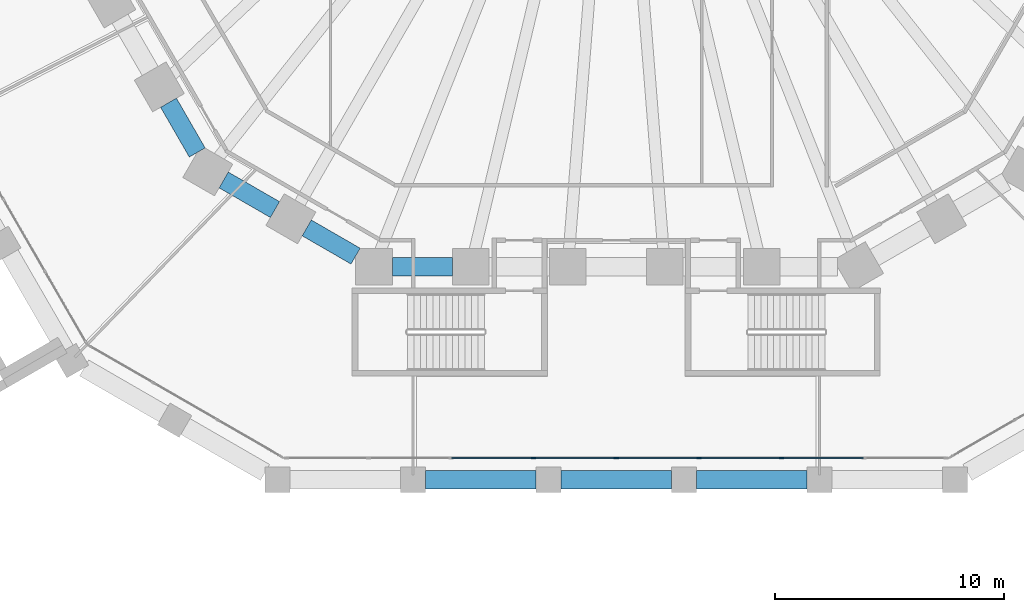
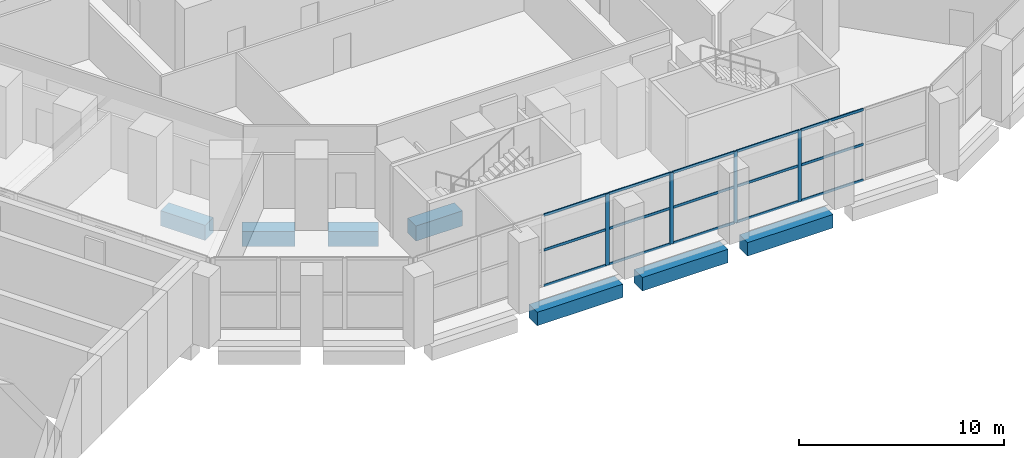
# One storey, part 3 of 38: 19 members, 7 beams, 1 element without a shape of its own.
"""IFC4 building model written with IfcOpenShell, lengths in metres."""

from ifc_helpers import new_model, si_unit, direction, frame, origin, origin_2d, place, context, subcontext, project, spatial, rectangle, extrude, material, material_profile, profile_set, type_object, element, aggregate, save


model = new_model("IFC4")

# Units and contexts
model_context = context("Model", 3, precision=1e-05, world=origin(), true_north=direction((0.0, 1.0)))
body_context = subcontext(model_context, "Body", "Model", "MODEL_VIEW")
ifc_project = project(units=[si_unit("LENGTHUNIT", "METRE"), si_unit("AREAUNIT", "SQUARE_METRE"), si_unit("VOLUMEUNIT", "CUBIC_METRE"), si_unit("PLANEANGLEUNIT", "RADIAN"), si_unit("MASSUNIT", "GRAM", prefix="KILO")], contexts=[model_context])

# Site, building, storey
site_placement = place(None, origin())
site = spatial("IfcSite", under=ifc_project, at=site_placement, CompositionType="ELEMENT")
building_placement = place(site_placement, origin())
building = spatial("IfcBuilding", under=site, at=building_placement, Name="Frailejon Research Tower", CompositionType="ELEMENT")
storey_placement = place(building_placement, frame((0.0, 0.0, 5.60009765625)))
storey = spatial("IfcBuildingStorey", under=building, at=storey_placement, Name="L01", CompositionType="ELEMENT", Elevation=5.60009765625)

# Beams
ifc_material_1 = material(Name="Concrete C60/75", Category="concrete")
ifc_material_profile_1 = material_profile(ifc_material_1, rectangle(XDim=0.800048828125, YDim=0.800048828125, at=origin_2d()), Name="Base ring beam")
ifc_profile_set_1 = profile_set([ifc_material_profile_1], Name="Concrete C60/75")
beam_type_1 = type_object("IfcBeamType", Name="Base ring beam", PredefinedType="BEAM", material=ifc_profile_set_1)
for number, where, z_axis, x_axis, name in (
    (1, (-8.32080078125, -36.0, -0.75), (1.0, 0.0, 0.0), (0.0, 1.0, 0.0), "Base ring beam"),
    (2, (-2.406982421875, -36.0, -0.75), (1.0, 0.0, 0.0), (0.0, 1.0, 0.0), "Base ring beam"),
    (3, (3.5068359375, -36.0, -0.75), (1.0, 0.0, 0.0), (0.0, 1.0, 0.0), "Base ring beam"),
):
    element("IfcBeam", number, at=place(storey_placement, frame(where, z_axis=z_axis, x_axis=x_axis)), inside=storey, type_object=beam_type_1, Name=name, PredefinedType="BEAM", context=body_context, shape_type="SweptSolid", body=[
        extrude(rectangle(XDim=0.800048828125, YDim=0.800048828125, at=origin_2d()), origin(), (0.0, 0.0, 1.0), 4.81396484375),
    ])
ifc_material_2 = material(Name="Concrete C60/75", Category="concrete")
ifc_material_profile_2 = material_profile(ifc_material_2, rectangle(XDim=0.800048828125, YDim=0.89990234375, at=origin_2d()), Name="Podium ring beam")
ifc_profile_set_2 = profile_set([ifc_material_profile_2], Name="Concrete C60/75")
beam_type_2 = type_object("IfcBeamType", Name="Podium ring beam", PredefinedType="BEAM", material=ifc_profile_set_2)
beam_1_placement = place(storey_placement, frame((-19.548828125, -19.540283203125, -0.800048828125), z_axis=(0.499949964382, -0.866054289935, 0.0), x_axis=(0.866054289935, 0.499949964382, 0.0)))
element("IfcBeam", 4, at=beam_1_placement, inside=storey, type_object=beam_type_2, Name="Podium ring beam", PredefinedType="BEAM", context=body_context, shape_type="SweptSolid", body=[
    extrude(rectangle(XDim=0.800048828125, YDim=0.89990234375, at=origin_2d()), origin(), (0.0, 0.0, 1.0), 2.508056640625),
])
beam_2_placement = place(storey_placement, frame((-17.14013671875, -22.912353515625, -0.800048828125), z_axis=(0.866004899711, -0.500035512416, 0.0), x_axis=(0.500035512416, 0.866004899711, 0.0)))
element("IfcBeam", 5, at=beam_2_placement, inside=storey, type_object=beam_type_2, Name="Podium ring beam", PredefinedType="BEAM", context=body_context, shape_type="SweptSolid", body=[
    extrude(rectangle(XDim=0.800048828125, YDim=0.89990234375, at=origin_2d()), origin(), (0.0, 0.0, 1.0), 2.587646484375),
])
beam_3_placement = place(storey_placement, frame((-13.513671875, -25.006103515625, -0.800048828125), z_axis=(0.86602717807, -0.499996926835, 0.0), x_axis=(0.499996926835, 0.86602717807, 0.0)))
element("IfcBeam", 6, at=beam_3_placement, inside=storey, type_object=beam_type_2, Name="Podium ring beam", PredefinedType="BEAM", context=body_context, shape_type="SweptSolid", body=[
    extrude(rectangle(XDim=0.800048828125, YDim=0.89990234375, at=origin_2d()), origin(), (0.0, 0.0, 1.0), 2.4638671875),
])
beam_4_placement = place(storey_placement, frame((-9.77978515625, -26.699951171875, -0.800048828125), z_axis=(1.0, 0.0, 0.0), x_axis=(0.0, 1.0, 0.0)))
element("IfcBeam", 7, at=beam_4_placement, inside=storey, type_object=beam_type_2, Name="Podium ring beam", PredefinedType="BEAM", context=body_context, shape_type="SweptSolid", body=[
    extrude(rectangle(XDim=0.800048828125, YDim=0.89990234375, at=origin_2d()), origin(), (0.0, 0.0, 1.0), 2.6318359375),
])

# Curtain wall, members
ifc_material_3 = material(Name="Aluminium curtain wall", Category="aluminium")
curtain_wall_type = type_object("IfcCurtainWallType", Name="Podium stick curtain wall system", PredefinedType="NOTDEFINED", material=ifc_material_3)
curtain_wall_placement = place(storey_placement, origin())
curtain_wall = element("IfcCurtainWall", 8, at=curtain_wall_placement, inside=storey, type_object=curtain_wall_type, Name="Curtain wall L01", PredefinedType="NOTDEFINED")
ifc_material_4 = material(Name="Aluminium extrusion", Category="aluminium")
ifc_material_profile_3 = material_profile(ifc_material_4, rectangle(XDim=0.06005859375, YDim=0.199951171875, at=origin_2d()), Name="Podium stick curtain wall mullion 60x200")
ifc_profile_set_3 = profile_set([ifc_material_profile_3], Name="Aluminium extrusion")
member_type_1 = type_object("IfcMemberType", Name="Podium stick curtain wall mullion 60x200", PredefinedType="MULLION", material=ifc_profile_set_3)
member_1_placement = place(storey_placement, frame((-3.607421875, -35.050048828125, 0.0), z_axis=(0.0, 0.0, 1.0), x_axis=(0.0, 1.0, 0.0)))
member_1 = element("IfcMember", 9, at=member_1_placement, type_object=member_type_1, Name="CW2-030 mullion 4", PredefinedType="MULLION", context=body_context, shape_type="SweptSolid", body=[
    extrude(rectangle(XDim=0.06005859375, YDim=0.199951171875, at=origin_2d()), origin(), (0.0, 0.0, 1.0), 4.25),
])
member_2_placement = place(storey_placement, frame((0.0, -35.050048828125, 0.0), z_axis=(0.0, 0.0, 1.0), x_axis=(0.0, 1.0, 0.0)))
member_2 = element("IfcMember", 10, at=member_2_placement, type_object=member_type_1, Name="CW2-030 mullion 5", PredefinedType="MULLION", context=body_context, shape_type="SweptSolid", body=[
    extrude(rectangle(XDim=0.06005859375, YDim=0.199951171875, at=origin_2d()), origin(), (0.0, 0.0, 1.0), 4.25),
])
member_3_placement = place(storey_placement, frame((3.607421875, -35.050048828125, 0.0), z_axis=(0.0, 0.0, 1.0), x_axis=(0.0, 1.0, 0.0)))
member_3 = element("IfcMember", 11, at=member_3_placement, type_object=member_type_1, Name="CW2-030 mullion 6", PredefinedType="MULLION", context=body_context, shape_type="SweptSolid", body=[
    extrude(rectangle(XDim=0.06005859375, YDim=0.199951171875, at=origin_2d()), origin(), (0.0, 0.0, 1.0), 4.25),
])
member_4_placement = place(storey_placement, frame((7.215087890625, -35.050048828125, 0.0), z_axis=(0.0, 0.0, 1.0), x_axis=(0.0, 1.0, 0.0)))
member_4 = element("IfcMember", 12, at=member_4_placement, type_object=member_type_1, Name="CW2-030 mullion 7", PredefinedType="MULLION", context=body_context, shape_type="SweptSolid", body=[
    extrude(rectangle(XDim=0.06005859375, YDim=0.199951171875, at=origin_2d()), origin(), (0.0, 0.0, 1.0), 4.25),
])
ifc_material_5 = material(Name="Aluminium extrusion", Category="aluminium")
ifc_material_profile_4 = material_profile(ifc_material_5, rectangle(XDim=0.06005859375, YDim=0.14990234375, at=origin_2d()), Name="Podium stick curtain wall transom 60x150")
ifc_profile_set_4 = profile_set([ifc_material_profile_4], Name="Aluminium extrusion")
member_type_2 = type_object("IfcMemberType", Name="Podium stick curtain wall transom 60x150", PredefinedType="USERDEFINED", material=ifc_profile_set_4)
member_5_placement = place(storey_placement, frame((-7.18505859375, -35.050048828125, 0.02978515625), z_axis=(1.0, 0.0, 0.0), x_axis=(0.0, 1.0, 0.0)))
member_5 = element("IfcMember", 13, at=member_5_placement, type_object=member_type_2, Name="CW2-030 transom 3.1", ObjectType="TRANSOM", PredefinedType="USERDEFINED", context=body_context, shape_type="SweptSolid", body=[
    extrude(rectangle(XDim=0.06005859375, YDim=0.14990234375, at=origin_2d()), origin(), (0.0, 0.0, 1.0), 3.547607421875),
])
member_6_placement = place(storey_placement, frame((-7.18505859375, -35.050048828125, 2.14990234375), z_axis=(1.0, 0.0, 0.0), x_axis=(0.0, 1.0, 0.0)))
member_6 = element("IfcMember", 14, at=member_6_placement, type_object=member_type_2, Name="CW2-030 transom 3.2", ObjectType="TRANSOM", PredefinedType="USERDEFINED", context=body_context, shape_type="SweptSolid", body=[
    extrude(rectangle(XDim=0.06005859375, YDim=0.14990234375, at=origin_2d()), origin(), (0.0, 0.0, 1.0), 3.547607421875),
])
member_7_placement = place(storey_placement, frame((-7.18505859375, -35.050048828125, 4.219970703125), z_axis=(1.0, 0.0, 0.0), x_axis=(0.0, 1.0, 0.0)))
member_7 = element("IfcMember", 15, at=member_7_placement, type_object=member_type_2, Name="CW2-030 transom 3.3", ObjectType="TRANSOM", PredefinedType="USERDEFINED", context=body_context, shape_type="SweptSolid", body=[
    extrude(rectangle(XDim=0.06005859375, YDim=0.14990234375, at=origin_2d()), origin(), (0.0, 0.0, 1.0), 3.547607421875),
])
member_8_placement = place(storey_placement, frame((-3.57763671875, -35.050048828125, 0.02978515625), z_axis=(1.0, 0.0, 0.0), x_axis=(0.0, 1.0, 0.0)))
member_8 = element("IfcMember", 16, at=member_8_placement, type_object=member_type_2, Name="CW2-030 transom 4.1", ObjectType="TRANSOM", PredefinedType="USERDEFINED", context=body_context, shape_type="SweptSolid", body=[
    extrude(rectangle(XDim=0.06005859375, YDim=0.14990234375, at=origin_2d()), origin(), (0.0, 0.0, 1.0), 3.547607421875),
])
member_9_placement = place(storey_placement, frame((-3.57763671875, -35.050048828125, 2.14990234375), z_axis=(1.0, 0.0, 0.0), x_axis=(0.0, 1.0, 0.0)))
member_9 = element("IfcMember", 17, at=member_9_placement, type_object=member_type_2, Name="CW2-030 transom 4.2", ObjectType="TRANSOM", PredefinedType="USERDEFINED", context=body_context, shape_type="SweptSolid", body=[
    extrude(rectangle(XDim=0.06005859375, YDim=0.14990234375, at=origin_2d()), origin(), (0.0, 0.0, 1.0), 3.547607421875),
])
member_10_placement = place(storey_placement, frame((-3.57763671875, -35.050048828125, 4.219970703125), z_axis=(1.0, 0.0, 0.0), x_axis=(0.0, 1.0, 0.0)))
member_10 = element("IfcMember", 18, at=member_10_placement, type_object=member_type_2, Name="CW2-030 transom 4.3", ObjectType="TRANSOM", PredefinedType="USERDEFINED", context=body_context, shape_type="SweptSolid", body=[
    extrude(rectangle(XDim=0.06005859375, YDim=0.14990234375, at=origin_2d()), origin(), (0.0, 0.0, 1.0), 3.547607421875),
])
member_11_placement = place(storey_placement, frame((0.030029296875, -35.050048828125, 0.02978515625), z_axis=(1.0, 0.0, 0.0), x_axis=(0.0, 1.0, 0.0)))
member_11 = element("IfcMember", 19, at=member_11_placement, type_object=member_type_2, Name="CW2-030 transom 5.1", ObjectType="TRANSOM", PredefinedType="USERDEFINED", context=body_context, shape_type="SweptSolid", body=[
    extrude(rectangle(XDim=0.06005859375, YDim=0.14990234375, at=origin_2d()), origin(), (0.0, 0.0, 1.0), 3.547607421875),
])
member_12_placement = place(storey_placement, frame((0.030029296875, -35.050048828125, 2.14990234375), z_axis=(1.0, 0.0, 0.0), x_axis=(0.0, 1.0, 0.0)))
member_12 = element("IfcMember", 20, at=member_12_placement, type_object=member_type_2, Name="CW2-030 transom 5.2", ObjectType="TRANSOM", PredefinedType="USERDEFINED", context=body_context, shape_type="SweptSolid", body=[
    extrude(rectangle(XDim=0.06005859375, YDim=0.14990234375, at=origin_2d()), origin(), (0.0, 0.0, 1.0), 3.547607421875),
])
member_13_placement = place(storey_placement, frame((0.030029296875, -35.050048828125, 4.219970703125), z_axis=(1.0, 0.0, 0.0), x_axis=(0.0, 1.0, 0.0)))
member_13 = element("IfcMember", 21, at=member_13_placement, type_object=member_type_2, Name="CW2-030 transom 5.3", ObjectType="TRANSOM", PredefinedType="USERDEFINED", context=body_context, shape_type="SweptSolid", body=[
    extrude(rectangle(XDim=0.06005859375, YDim=0.14990234375, at=origin_2d()), origin(), (0.0, 0.0, 1.0), 3.547607421875),
])
member_14_placement = place(storey_placement, frame((3.637451171875, -35.050048828125, 0.02978515625), z_axis=(1.0, 0.0, 0.0), x_axis=(0.0, 1.0, 0.0)))
member_14 = element("IfcMember", 22, at=member_14_placement, type_object=member_type_2, Name="CW2-030 transom 6.1", ObjectType="TRANSOM", PredefinedType="USERDEFINED", context=body_context, shape_type="SweptSolid", body=[
    extrude(rectangle(XDim=0.06005859375, YDim=0.14990234375, at=origin_2d()), origin(), (0.0, 0.0, 1.0), 3.547607421875),
])
member_15_placement = place(storey_placement, frame((3.637451171875, -35.050048828125, 2.14990234375), z_axis=(1.0, 0.0, 0.0), x_axis=(0.0, 1.0, 0.0)))
member_15 = element("IfcMember", 23, at=member_15_placement, type_object=member_type_2, Name="CW2-030 transom 6.2", ObjectType="TRANSOM", PredefinedType="USERDEFINED", context=body_context, shape_type="SweptSolid", body=[
    extrude(rectangle(XDim=0.06005859375, YDim=0.14990234375, at=origin_2d()), origin(), (0.0, 0.0, 1.0), 3.547607421875),
])
member_16_placement = place(storey_placement, frame((3.637451171875, -35.050048828125, 4.219970703125), z_axis=(1.0, 0.0, 0.0), x_axis=(0.0, 1.0, 0.0)))
member_16 = element("IfcMember", 24, at=member_16_placement, type_object=member_type_2, Name="CW2-030 transom 6.3", ObjectType="TRANSOM", PredefinedType="USERDEFINED", context=body_context, shape_type="SweptSolid", body=[
    extrude(rectangle(XDim=0.06005859375, YDim=0.14990234375, at=origin_2d()), origin(), (0.0, 0.0, 1.0), 3.547607421875),
])
member_17_placement = place(storey_placement, frame((7.2451171875, -35.050048828125, 0.02978515625), z_axis=(1.0, 0.0, 0.0), x_axis=(0.0, 1.0, 0.0)))
member_17 = element("IfcMember", 25, at=member_17_placement, type_object=member_type_2, Name="CW2-030 transom 7.1", ObjectType="TRANSOM", PredefinedType="USERDEFINED", context=body_context, shape_type="SweptSolid", body=[
    extrude(rectangle(XDim=0.06005859375, YDim=0.14990234375, at=origin_2d()), origin(), (0.0, 0.0, 1.0), 3.54736328125),
])
member_18_placement = place(storey_placement, frame((7.2451171875, -35.050048828125, 2.14990234375), z_axis=(1.0, 0.0, 0.0), x_axis=(0.0, 1.0, 0.0)))
member_18 = element("IfcMember", 26, at=member_18_placement, type_object=member_type_2, Name="CW2-030 transom 7.2", ObjectType="TRANSOM", PredefinedType="USERDEFINED", context=body_context, shape_type="SweptSolid", body=[
    extrude(rectangle(XDim=0.06005859375, YDim=0.14990234375, at=origin_2d()), origin(), (0.0, 0.0, 1.0), 3.54736328125),
])
member_19_placement = place(storey_placement, frame((7.2451171875, -35.050048828125, 4.219970703125), z_axis=(1.0, 0.0, 0.0), x_axis=(0.0, 1.0, 0.0)))
member_19 = element("IfcMember", 27, at=member_19_placement, type_object=member_type_2, Name="CW2-030 transom 7.3", ObjectType="TRANSOM", PredefinedType="USERDEFINED", context=body_context, shape_type="SweptSolid", body=[
    extrude(rectangle(XDim=0.06005859375, YDim=0.14990234375, at=origin_2d()), origin(), (0.0, 0.0, 1.0), 3.54736328125),
])
aggregate(curtain_wall, [member_1, member_2, member_3, member_4, member_5, member_6, member_7, member_8, member_9, member_10, member_11, member_12, member_13, member_14, member_15, member_16, member_17, member_18, member_19])

save(model, "model.ifc")
